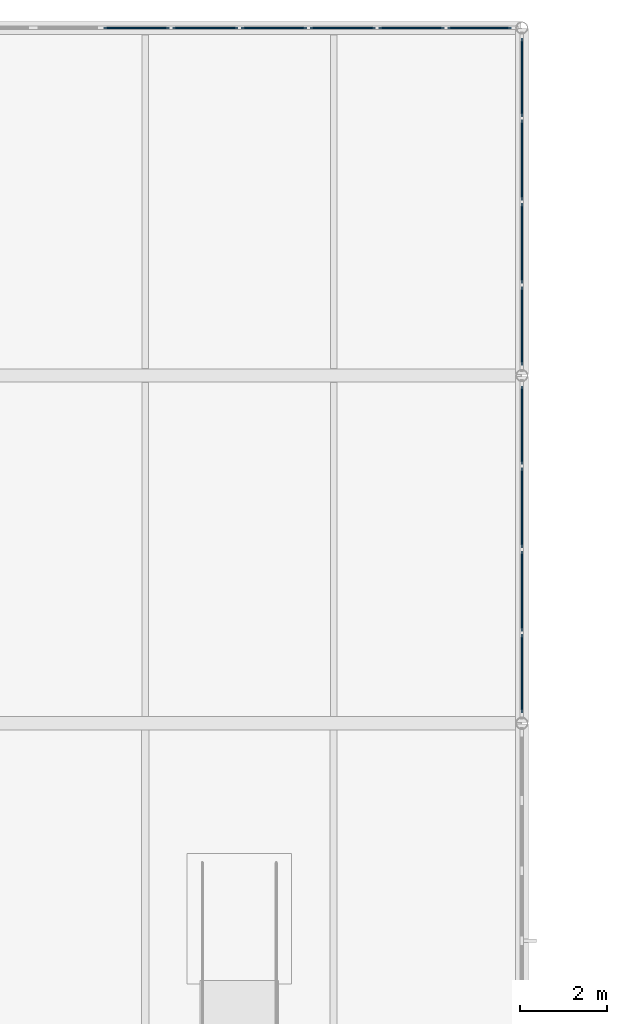
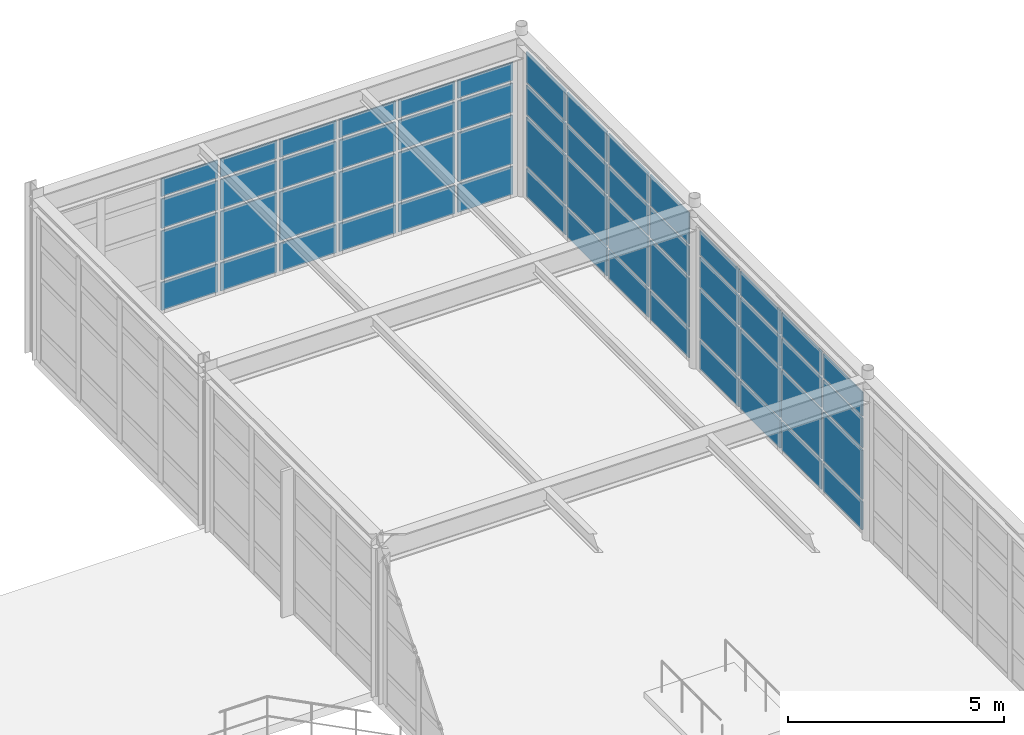
# One storey, part 104 of 139: 56 plates, 3 elements without a shape of their own.
"""IFC4 building model written with IfcOpenShell, lengths in metres."""

from ifc_helpers import new_model, si_unit, direction, frame, origin, origin_2d, place, context, subcontext, project, spatial, rectangle, extrude, material, layer, layer_set, type_object, element, aggregate, save


model = new_model("IFC4")

# Units and contexts
model_context = context("Model", 3, precision=1e-05, world=origin(), true_north=direction((0.0, 1.0)))
body_context = subcontext(model_context, "Body", "Model", "MODEL_VIEW")
ifc_project = project(units=[si_unit("LENGTHUNIT", "METRE"), si_unit("AREAUNIT", "SQUARE_METRE"), si_unit("VOLUMEUNIT", "CUBIC_METRE"), si_unit("PLANEANGLEUNIT", "RADIAN"), si_unit("MASSUNIT", "GRAM", prefix="KILO"), si_unit("THERMODYNAMICTEMPERATUREUNIT", "KELVIN"), si_unit("POWERUNIT", "WATT")], contexts=[model_context])

# Site, building, storey
site_placement = place(None, origin())
site = spatial("IfcSite", under=ifc_project, at=site_placement, CompositionType="ELEMENT")
building_placement = place(site_placement, origin())
building = spatial("IfcBuilding", under=site, at=building_placement, Name="Korenveer Ferry Terminal", CompositionType="ELEMENT")
storey_placement = place(building_placement, frame((0.0, 0.0, 5.39990234375)))
storey = spatial("IfcBuildingStorey", under=building, at=storey_placement, Name="L01", CompositionType="ELEMENT", Elevation=5.39990234375)

# Curtain wall, plates
ifc_material_1 = material(Name="Unitised bronze-and-glass curtain wall", Category="glass")
ifc_layer_1 = layer(ifc_material_1, 0.219970703125)
ifc_layer_set_1 = layer_set([ifc_layer_1], Name="Unitised bronze-and-glass curtain wall")
curtain_wall_type_1 = type_object("IfcCurtainWallType", Name="ENV-CW-57", PredefinedType="USERDEFINED", material=ifc_layer_set_1)
curtain_wall_1_placement = place(storey_placement, frame((123.179931640625, 116.0, 0.0)))
curtain_wall_1 = element("IfcCurtainWall", 1, at=curtain_wall_1_placement, inside=storey, type_object=curtain_wall_type_1, Name="Lancet curtain wall CWX-L01-X123-136-Y116-116", ObjectType="UNITISED CURTAIN WALL", PredefinedType="USERDEFINED")
ifc_material_2 = material(Name="Acoustic laminated marine glazing", Category="glass")
ifc_layer_2 = layer(ifc_material_2, 0.035888671875)
ifc_layer_set_2 = layer_set([ifc_layer_2], Name="Acoustic laminated marine glazing")
plate_type = type_object("IfcPlateType", Name="ENV-CWP-GLZ36", PredefinedType="CURTAIN_PANEL", material=ifc_layer_set_2)
plate_1_placement = place(storey_placement, frame((127.13427734375, 116.0, 0.074951171875), z_axis=(0.0, 0.0, 1.0), x_axis=(1.0, 0.0, 0.0)))
plate_1 = element("IfcPlate", 2, at=plate_1_placement, type_object=plate_type, Name="CW-57 panel 3.1", PredefinedType="CURTAIN_PANEL", context=body_context, shape_type="SweptSolid", body=[
    extrude(rectangle(XDim=1.506591796875, YDim=0.035888671875, at=origin_2d()), origin(), (0.0, 0.0, 1.0), 0.78759765625),
])
plate_2_placement = place(storey_placement, frame((127.13427734375, 116.0, 0.9375), z_axis=(0.0, 0.0, 1.0), x_axis=(1.0, 0.0, 0.0)))
plate_2 = element("IfcPlate", 3, at=plate_2_placement, type_object=plate_type, Name="CW-57 panel 3.2", PredefinedType="CURTAIN_PANEL", context=body_context, shape_type="SweptSolid", body=[
    extrude(rectangle(XDim=1.506591796875, YDim=0.035888671875, at=origin_2d()), origin(), (0.0, 0.0, 1.0), 1.375),
])
plate_3_placement = place(storey_placement, frame((127.13427734375, 116.0, 2.3876953125), z_axis=(0.0, 0.0, 1.0), x_axis=(1.0, 0.0, 0.0)))
plate_3 = element("IfcPlate", 4, at=plate_3_placement, type_object=plate_type, Name="CW-57 panel 3.3", PredefinedType="CURTAIN_PANEL", context=body_context, shape_type="SweptSolid", body=[
    extrude(rectangle(XDim=1.506591796875, YDim=0.035888671875, at=origin_2d()), origin(), (0.0, 0.0, 1.0), 0.824951171875),
])
plate_4_placement = place(storey_placement, frame((127.13427734375, 116.0, 3.28759765625), z_axis=(0.0, 0.0, 1.0), x_axis=(1.0, 0.0, 0.0)))
plate_4 = element("IfcPlate", 5, at=plate_4_placement, type_object=plate_type, Name="CW-57 panel 3.4", PredefinedType="CURTAIN_PANEL", context=body_context, shape_type="SweptSolid", body=[
    extrude(rectangle(XDim=1.506591796875, YDim=0.035888671875, at=origin_2d()), origin(), (0.0, 0.0, 1.0), 0.507568359375),
])
plate_5_placement = place(storey_placement, frame((128.7158203125, 116.0, 0.074951171875), z_axis=(0.0, 0.0, 1.0), x_axis=(1.0, 0.0, 0.0)))
plate_5 = element("IfcPlate", 6, at=plate_5_placement, type_object=plate_type, Name="CW-57 panel 4.1", PredefinedType="CURTAIN_PANEL", context=body_context, shape_type="SweptSolid", body=[
    extrude(rectangle(XDim=1.506591796875, YDim=0.035888671875, at=origin_2d()), origin(), (0.0, 0.0, 1.0), 0.78759765625),
])
plate_6_placement = place(storey_placement, frame((128.7158203125, 116.0, 0.9375), z_axis=(0.0, 0.0, 1.0), x_axis=(1.0, 0.0, 0.0)))
plate_6 = element("IfcPlate", 7, at=plate_6_placement, type_object=plate_type, Name="CW-57 panel 4.2", PredefinedType="CURTAIN_PANEL", context=body_context, shape_type="SweptSolid", body=[
    extrude(rectangle(XDim=1.506591796875, YDim=0.035888671875, at=origin_2d()), origin(), (0.0, 0.0, 1.0), 1.375),
])
plate_7_placement = place(storey_placement, frame((128.7158203125, 116.0, 2.3876953125), z_axis=(0.0, 0.0, 1.0), x_axis=(1.0, 0.0, 0.0)))
plate_7 = element("IfcPlate", 8, at=plate_7_placement, type_object=plate_type, Name="CW-57 panel 4.3", PredefinedType="CURTAIN_PANEL", context=body_context, shape_type="SweptSolid", body=[
    extrude(rectangle(XDim=1.506591796875, YDim=0.035888671875, at=origin_2d()), origin(), (0.0, 0.0, 1.0), 0.824951171875),
])
plate_8_placement = place(storey_placement, frame((128.7158203125, 116.0, 3.28759765625), z_axis=(0.0, 0.0, 1.0), x_axis=(1.0, 0.0, 0.0)))
plate_8 = element("IfcPlate", 9, at=plate_8_placement, type_object=plate_type, Name="CW-57 panel 4.4", PredefinedType="CURTAIN_PANEL", context=body_context, shape_type="SweptSolid", body=[
    extrude(rectangle(XDim=1.506591796875, YDim=0.035888671875, at=origin_2d()), origin(), (0.0, 0.0, 1.0), 0.507568359375),
])
plate_9_placement = place(storey_placement, frame((130.297607421875, 116.0, 0.074951171875), z_axis=(0.0, 0.0, 1.0), x_axis=(1.0, 0.0, 0.0)))
plate_9 = element("IfcPlate", 10, at=plate_9_placement, type_object=plate_type, Name="CW-57 panel 5.1", PredefinedType="CURTAIN_PANEL", context=body_context, shape_type="SweptSolid", body=[
    extrude(rectangle(XDim=1.506591796875, YDim=0.035888671875, at=origin_2d()), origin(), (0.0, 0.0, 1.0), 0.78759765625),
])
plate_10_placement = place(storey_placement, frame((130.297607421875, 116.0, 0.9375), z_axis=(0.0, 0.0, 1.0), x_axis=(1.0, 0.0, 0.0)))
plate_10 = element("IfcPlate", 11, at=plate_10_placement, type_object=plate_type, Name="CW-57 panel 5.2", PredefinedType="CURTAIN_PANEL", context=body_context, shape_type="SweptSolid", body=[
    extrude(rectangle(XDim=1.506591796875, YDim=0.035888671875, at=origin_2d()), origin(), (0.0, 0.0, 1.0), 1.375),
])
plate_11_placement = place(storey_placement, frame((130.297607421875, 116.0, 2.3876953125), z_axis=(0.0, 0.0, 1.0), x_axis=(1.0, 0.0, 0.0)))
plate_11 = element("IfcPlate", 12, at=plate_11_placement, type_object=plate_type, Name="CW-57 panel 5.3", PredefinedType="CURTAIN_PANEL", context=body_context, shape_type="SweptSolid", body=[
    extrude(rectangle(XDim=1.506591796875, YDim=0.035888671875, at=origin_2d()), origin(), (0.0, 0.0, 1.0), 0.824951171875),
])
plate_12_placement = place(storey_placement, frame((130.297607421875, 116.0, 3.28759765625), z_axis=(0.0, 0.0, 1.0), x_axis=(1.0, 0.0, 0.0)))
plate_12 = element("IfcPlate", 13, at=plate_12_placement, type_object=plate_type, Name="CW-57 panel 5.4", PredefinedType="CURTAIN_PANEL", context=body_context, shape_type="SweptSolid", body=[
    extrude(rectangle(XDim=1.506591796875, YDim=0.035888671875, at=origin_2d()), origin(), (0.0, 0.0, 1.0), 0.507568359375),
])
plate_13_placement = place(storey_placement, frame((131.87939453125, 116.0, 0.074951171875), z_axis=(0.0, 0.0, 1.0), x_axis=(1.0, 0.0, 0.0)))
plate_13 = element("IfcPlate", 14, at=plate_13_placement, type_object=plate_type, Name="CW-57 panel 6.1", PredefinedType="CURTAIN_PANEL", context=body_context, shape_type="SweptSolid", body=[
    extrude(rectangle(XDim=1.506591796875, YDim=0.035888671875, at=origin_2d()), origin(), (0.0, 0.0, 1.0), 0.78759765625),
])
plate_14_placement = place(storey_placement, frame((131.87939453125, 116.0, 0.9375), z_axis=(0.0, 0.0, 1.0), x_axis=(1.0, 0.0, 0.0)))
plate_14 = element("IfcPlate", 15, at=plate_14_placement, type_object=plate_type, Name="CW-57 panel 6.2", PredefinedType="CURTAIN_PANEL", context=body_context, shape_type="SweptSolid", body=[
    extrude(rectangle(XDim=1.506591796875, YDim=0.035888671875, at=origin_2d()), origin(), (0.0, 0.0, 1.0), 1.375),
])
plate_15_placement = place(storey_placement, frame((131.87939453125, 116.0, 2.3876953125), z_axis=(0.0, 0.0, 1.0), x_axis=(1.0, 0.0, 0.0)))
plate_15 = element("IfcPlate", 16, at=plate_15_placement, type_object=plate_type, Name="CW-57 panel 6.3", PredefinedType="CURTAIN_PANEL", context=body_context, shape_type="SweptSolid", body=[
    extrude(rectangle(XDim=1.506591796875, YDim=0.035888671875, at=origin_2d()), origin(), (0.0, 0.0, 1.0), 0.824951171875),
])
plate_16_placement = place(storey_placement, frame((131.87939453125, 116.0, 3.28759765625), z_axis=(0.0, 0.0, 1.0), x_axis=(1.0, 0.0, 0.0)))
plate_16 = element("IfcPlate", 17, at=plate_16_placement, type_object=plate_type, Name="CW-57 panel 6.4", PredefinedType="CURTAIN_PANEL", context=body_context, shape_type="SweptSolid", body=[
    extrude(rectangle(XDim=1.506591796875, YDim=0.035888671875, at=origin_2d()), origin(), (0.0, 0.0, 1.0), 0.507568359375),
])
plate_17_placement = place(storey_placement, frame((133.4609375, 116.0, 0.074951171875), z_axis=(0.0, 0.0, 1.0), x_axis=(1.0, 0.0, 0.0)))
plate_17 = element("IfcPlate", 18, at=plate_17_placement, type_object=plate_type, Name="CW-57 panel 7.1", PredefinedType="CURTAIN_PANEL", context=body_context, shape_type="SweptSolid", body=[
    extrude(rectangle(XDim=1.506591796875, YDim=0.035888671875, at=origin_2d()), origin(), (0.0, 0.0, 1.0), 0.78759765625),
])
plate_18_placement = place(storey_placement, frame((133.4609375, 116.0, 0.9375), z_axis=(0.0, 0.0, 1.0), x_axis=(1.0, 0.0, 0.0)))
plate_18 = element("IfcPlate", 19, at=plate_18_placement, type_object=plate_type, Name="CW-57 panel 7.2", PredefinedType="CURTAIN_PANEL", context=body_context, shape_type="SweptSolid", body=[
    extrude(rectangle(XDim=1.506591796875, YDim=0.035888671875, at=origin_2d()), origin(), (0.0, 0.0, 1.0), 1.375),
])
plate_19_placement = place(storey_placement, frame((133.4609375, 116.0, 2.3876953125), z_axis=(0.0, 0.0, 1.0), x_axis=(1.0, 0.0, 0.0)))
plate_19 = element("IfcPlate", 20, at=plate_19_placement, type_object=plate_type, Name="CW-57 panel 7.3", PredefinedType="CURTAIN_PANEL", context=body_context, shape_type="SweptSolid", body=[
    extrude(rectangle(XDim=1.506591796875, YDim=0.035888671875, at=origin_2d()), origin(), (0.0, 0.0, 1.0), 0.824951171875),
])
plate_20_placement = place(storey_placement, frame((133.4609375, 116.0, 3.28759765625), z_axis=(0.0, 0.0, 1.0), x_axis=(1.0, 0.0, 0.0)))
plate_20 = element("IfcPlate", 21, at=plate_20_placement, type_object=plate_type, Name="CW-57 panel 7.4", PredefinedType="CURTAIN_PANEL", context=body_context, shape_type="SweptSolid", body=[
    extrude(rectangle(XDim=1.506591796875, YDim=0.035888671875, at=origin_2d()), origin(), (0.0, 0.0, 1.0), 0.507568359375),
])
plate_21_placement = place(storey_placement, frame((135.02392578125, 116.0, 0.074951171875), z_axis=(0.0, 0.0, 1.0), x_axis=(1.0, 0.0, 0.0)))
plate_21 = element("IfcPlate", 22, at=plate_21_placement, type_object=plate_type, Name="CW-57 panel 8.1", PredefinedType="CURTAIN_PANEL", context=body_context, shape_type="SweptSolid", body=[
    extrude(rectangle(XDim=1.46923828125, YDim=0.035888671875, at=origin_2d()), origin(), (0.0, 0.0, 1.0), 0.78759765625),
])
plate_22_placement = place(storey_placement, frame((135.02392578125, 116.0, 0.9375), z_axis=(0.0, 0.0, 1.0), x_axis=(1.0, 0.0, 0.0)))
plate_22 = element("IfcPlate", 23, at=plate_22_placement, type_object=plate_type, Name="CW-57 panel 8.2", PredefinedType="CURTAIN_PANEL", context=body_context, shape_type="SweptSolid", body=[
    extrude(rectangle(XDim=1.46923828125, YDim=0.035888671875, at=origin_2d()), origin(), (0.0, 0.0, 1.0), 1.375),
])
plate_23_placement = place(storey_placement, frame((135.02392578125, 116.0, 2.3876953125), z_axis=(0.0, 0.0, 1.0), x_axis=(1.0, 0.0, 0.0)))
plate_23 = element("IfcPlate", 24, at=plate_23_placement, type_object=plate_type, Name="CW-57 panel 8.3", PredefinedType="CURTAIN_PANEL", context=body_context, shape_type="SweptSolid", body=[
    extrude(rectangle(XDim=1.46923828125, YDim=0.035888671875, at=origin_2d()), origin(), (0.0, 0.0, 1.0), 0.824951171875),
])
plate_24_placement = place(storey_placement, frame((135.02392578125, 116.0, 3.28759765625), z_axis=(0.0, 0.0, 1.0), x_axis=(1.0, 0.0, 0.0)))
plate_24 = element("IfcPlate", 25, at=plate_24_placement, type_object=plate_type, Name="CW-57 panel 8.4", PredefinedType="CURTAIN_PANEL", context=body_context, shape_type="SweptSolid", body=[
    extrude(rectangle(XDim=1.46923828125, YDim=0.035888671875, at=origin_2d()), origin(), (0.0, 0.0, 1.0), 0.507568359375),
])
aggregate(curtain_wall_1, [plate_1, plate_2, plate_3, plate_4, plate_5, plate_6, plate_7, plate_8, plate_9, plate_10, plate_11, plate_12, plate_13, plate_14, plate_15, plate_16, plate_17, plate_18, plate_19, plate_20, plate_21, plate_22, plate_23, plate_24])

ifc_layer_3 = layer(ifc_material_1, 0.219970703125)
ifc_layer_set_3 = layer_set([ifc_layer_3], Name="Unitised bronze-and-glass curtain wall")
curtain_wall_type_2 = type_object("IfcCurtainWallType", Name="ENV-CW-67", PredefinedType="USERDEFINED", material=ifc_layer_set_3)
curtain_wall_2_placement = place(storey_placement, frame((136.0, 107.83349609375, 0.0)))
curtain_wall_2 = element("IfcCurtainWall", 26, at=curtain_wall_2_placement, inside=storey, type_object=curtain_wall_type_2, Name="Lancet curtain wall CWX-L01-X136-136-Y100-108", ObjectType="UNITISED CURTAIN WALL", PredefinedType="USERDEFINED")
plate_25_placement = place(storey_placement, frame((136.0, 106.8564453125, 0.074951171875), z_axis=(0.0, 0.0, 1.0), x_axis=(0.0, -1.0, 0.0)))
plate_25 = element("IfcPlate", 27, at=plate_25_placement, type_object=plate_type, Name="CW-67 panel 1.1", PredefinedType="CURTAIN_PANEL", context=body_context, shape_type="SweptSolid", body=[
    extrude(rectangle(XDim=1.80419921875, YDim=0.035888671875, at=origin_2d()), origin(), (0.0, 0.0, 1.0), 0.78759765625),
])
plate_26_placement = place(storey_placement, frame((136.0, 106.8564453125, 0.9375), z_axis=(0.0, 0.0, 1.0), x_axis=(0.0, -1.0, 0.0)))
plate_26 = element("IfcPlate", 28, at=plate_26_placement, type_object=plate_type, Name="CW-67 panel 1.2", PredefinedType="CURTAIN_PANEL", context=body_context, shape_type="SweptSolid", body=[
    extrude(rectangle(XDim=1.80419921875, YDim=0.035888671875, at=origin_2d()), origin(), (0.0, 0.0, 1.0), 1.375),
])
plate_27_placement = place(storey_placement, frame((136.0, 106.8564453125, 2.3876953125), z_axis=(0.0, 0.0, 1.0), x_axis=(0.0, -1.0, 0.0)))
plate_27 = element("IfcPlate", 29, at=plate_27_placement, type_object=plate_type, Name="CW-67 panel 1.3", PredefinedType="CURTAIN_PANEL", context=body_context, shape_type="SweptSolid", body=[
    extrude(rectangle(XDim=1.80419921875, YDim=0.035888671875, at=origin_2d()), origin(), (0.0, 0.0, 1.0), 0.824951171875),
])
plate_28_placement = place(storey_placement, frame((136.0, 106.8564453125, 3.28759765625), z_axis=(0.0, 0.0, 1.0), x_axis=(0.0, -1.0, 0.0)))
plate_28 = element("IfcPlate", 30, at=plate_28_placement, type_object=plate_type, Name="CW-67 panel 1.4", PredefinedType="CURTAIN_PANEL", context=body_context, shape_type="SweptSolid", body=[
    extrude(rectangle(XDim=1.80419921875, YDim=0.035888671875, at=origin_2d()), origin(), (0.0, 0.0, 1.0), 0.66748046875),
])
plate_29_placement = place(storey_placement, frame((136.0, 104.95849609375, 0.074951171875), z_axis=(0.0, 0.0, 1.0), x_axis=(0.0, -1.0, 0.0)))
plate_29 = element("IfcPlate", 31, at=plate_29_placement, type_object=plate_type, Name="CW-67 panel 2.1", PredefinedType="CURTAIN_PANEL", context=body_context, shape_type="SweptSolid", body=[
    extrude(rectangle(XDim=1.841796875, YDim=0.035888671875, at=origin_2d()), origin(), (0.0, 0.0, 1.0), 0.78759765625),
])
plate_30_placement = place(storey_placement, frame((136.0, 104.95849609375, 0.9375), z_axis=(0.0, 0.0, 1.0), x_axis=(0.0, -1.0, 0.0)))
plate_30 = element("IfcPlate", 32, at=plate_30_placement, type_object=plate_type, Name="CW-67 panel 2.2", PredefinedType="CURTAIN_PANEL", context=body_context, shape_type="SweptSolid", body=[
    extrude(rectangle(XDim=1.841796875, YDim=0.035888671875, at=origin_2d()), origin(), (0.0, 0.0, 1.0), 1.375),
])
plate_31_placement = place(storey_placement, frame((136.0, 104.95849609375, 2.3876953125), z_axis=(0.0, 0.0, 1.0), x_axis=(0.0, -1.0, 0.0)))
plate_31 = element("IfcPlate", 33, at=plate_31_placement, type_object=plate_type, Name="CW-67 panel 2.3", PredefinedType="CURTAIN_PANEL", context=body_context, shape_type="SweptSolid", body=[
    extrude(rectangle(XDim=1.841796875, YDim=0.035888671875, at=origin_2d()), origin(), (0.0, 0.0, 1.0), 0.824951171875),
])
plate_32_placement = place(storey_placement, frame((136.0, 104.95849609375, 3.28759765625), z_axis=(0.0, 0.0, 1.0), x_axis=(0.0, -1.0, 0.0)))
plate_32 = element("IfcPlate", 34, at=plate_32_placement, type_object=plate_type, Name="CW-67 panel 2.4", PredefinedType="CURTAIN_PANEL", context=body_context, shape_type="SweptSolid", body=[
    extrude(rectangle(XDim=1.841796875, YDim=0.035888671875, at=origin_2d()), origin(), (0.0, 0.0, 1.0), 0.66748046875),
])
plate_33_placement = place(storey_placement, frame((136.0, 103.04150390625, 0.074951171875), z_axis=(0.0, 0.0, 1.0), x_axis=(0.0, -1.0, 0.0)))
plate_33 = element("IfcPlate", 35, at=plate_33_placement, type_object=plate_type, Name="CW-67 panel 3.1", PredefinedType="CURTAIN_PANEL", context=body_context, shape_type="SweptSolid", body=[
    extrude(rectangle(XDim=1.841796875, YDim=0.035888671875, at=origin_2d()), origin(), (0.0, 0.0, 1.0), 0.78759765625),
])
plate_34_placement = place(storey_placement, frame((136.0, 103.04150390625, 0.9375), z_axis=(0.0, 0.0, 1.0), x_axis=(0.0, -1.0, 0.0)))
plate_34 = element("IfcPlate", 36, at=plate_34_placement, type_object=plate_type, Name="CW-67 panel 3.2", PredefinedType="CURTAIN_PANEL", context=body_context, shape_type="SweptSolid", body=[
    extrude(rectangle(XDim=1.841796875, YDim=0.035888671875, at=origin_2d()), origin(), (0.0, 0.0, 1.0), 1.375),
])
plate_35_placement = place(storey_placement, frame((136.0, 103.04150390625, 2.3876953125), z_axis=(0.0, 0.0, 1.0), x_axis=(0.0, -1.0, 0.0)))
plate_35 = element("IfcPlate", 37, at=plate_35_placement, type_object=plate_type, Name="CW-67 panel 3.3", PredefinedType="CURTAIN_PANEL", context=body_context, shape_type="SweptSolid", body=[
    extrude(rectangle(XDim=1.841796875, YDim=0.035888671875, at=origin_2d()), origin(), (0.0, 0.0, 1.0), 0.824951171875),
])
plate_36_placement = place(storey_placement, frame((136.0, 103.04150390625, 3.28759765625), z_axis=(0.0, 0.0, 1.0), x_axis=(0.0, -1.0, 0.0)))
plate_36 = element("IfcPlate", 38, at=plate_36_placement, type_object=plate_type, Name="CW-67 panel 3.4", PredefinedType="CURTAIN_PANEL", context=body_context, shape_type="SweptSolid", body=[
    extrude(rectangle(XDim=1.841796875, YDim=0.035888671875, at=origin_2d()), origin(), (0.0, 0.0, 1.0), 0.66748046875),
])
plate_37_placement = place(storey_placement, frame((136.0, 101.1435546875, 0.074951171875), z_axis=(0.0, 0.0, 1.0), x_axis=(0.0, -1.0, 0.0)))
plate_37 = element("IfcPlate", 39, at=plate_37_placement, type_object=plate_type, Name="CW-67 panel 4.1", PredefinedType="CURTAIN_PANEL", context=body_context, shape_type="SweptSolid", body=[
    extrude(rectangle(XDim=1.80419921875, YDim=0.035888671875, at=origin_2d()), origin(), (0.0, 0.0, 1.0), 0.78759765625),
])
plate_38_placement = place(storey_placement, frame((136.0, 101.1435546875, 0.9375), z_axis=(0.0, 0.0, 1.0), x_axis=(0.0, -1.0, 0.0)))
plate_38 = element("IfcPlate", 40, at=plate_38_placement, type_object=plate_type, Name="CW-67 panel 4.2", PredefinedType="CURTAIN_PANEL", context=body_context, shape_type="SweptSolid", body=[
    extrude(rectangle(XDim=1.80419921875, YDim=0.035888671875, at=origin_2d()), origin(), (0.0, 0.0, 1.0), 1.375),
])
plate_39_placement = place(storey_placement, frame((136.0, 101.1435546875, 2.3876953125), z_axis=(0.0, 0.0, 1.0), x_axis=(0.0, -1.0, 0.0)))
plate_39 = element("IfcPlate", 41, at=plate_39_placement, type_object=plate_type, Name="CW-67 panel 4.3", PredefinedType="CURTAIN_PANEL", context=body_context, shape_type="SweptSolid", body=[
    extrude(rectangle(XDim=1.80419921875, YDim=0.035888671875, at=origin_2d()), origin(), (0.0, 0.0, 1.0), 0.824951171875),
])
plate_40_placement = place(storey_placement, frame((136.0, 101.1435546875, 3.28759765625), z_axis=(0.0, 0.0, 1.0), x_axis=(0.0, -1.0, 0.0)))
plate_40 = element("IfcPlate", 42, at=plate_40_placement, type_object=plate_type, Name="CW-67 panel 4.4", PredefinedType="CURTAIN_PANEL", context=body_context, shape_type="SweptSolid", body=[
    extrude(rectangle(XDim=1.80419921875, YDim=0.035888671875, at=origin_2d()), origin(), (0.0, 0.0, 1.0), 0.66748046875),
])
aggregate(curtain_wall_2, [plate_25, plate_26, plate_27, plate_28, plate_29, plate_30, plate_31, plate_32, plate_33, plate_34, plate_35, plate_36, plate_37, plate_38, plate_39, plate_40])

ifc_layer_4 = layer(ifc_material_1, 0.219970703125)
ifc_layer_set_4 = layer_set([ifc_layer_4], Name="Unitised bronze-and-glass curtain wall")
curtain_wall_type_3 = type_object("IfcCurtainWallType", Name="ENV-CW-77", PredefinedType="USERDEFINED", material=ifc_layer_set_4)
curtain_wall_3_placement = place(storey_placement, frame((136.0, 115.83349609375, 0.0)))
curtain_wall_3 = element("IfcCurtainWall", 43, at=curtain_wall_3_placement, inside=storey, type_object=curtain_wall_type_3, Name="Lancet curtain wall CWX-L01-X136-136-Y108-116", ObjectType="UNITISED CURTAIN WALL", PredefinedType="USERDEFINED")
plate_41_placement = place(storey_placement, frame((136.0, 114.8564453125, 0.074951171875), z_axis=(0.0, 0.0, 1.0), x_axis=(0.0, -1.0, 0.0)))
plate_41 = element("IfcPlate", 44, at=plate_41_placement, type_object=plate_type, Name="CW-77 panel 1.1", PredefinedType="CURTAIN_PANEL", context=body_context, shape_type="SweptSolid", body=[
    extrude(rectangle(XDim=1.80419921875, YDim=0.035888671875, at=origin_2d()), origin(), (0.0, 0.0, 1.0), 0.78759765625),
])
plate_42_placement = place(storey_placement, frame((136.0, 114.8564453125, 0.9375), z_axis=(0.0, 0.0, 1.0), x_axis=(0.0, -1.0, 0.0)))
plate_42 = element("IfcPlate", 45, at=plate_42_placement, type_object=plate_type, Name="CW-77 panel 1.2", PredefinedType="CURTAIN_PANEL", context=body_context, shape_type="SweptSolid", body=[
    extrude(rectangle(XDim=1.80419921875, YDim=0.035888671875, at=origin_2d()), origin(), (0.0, 0.0, 1.0), 1.375),
])
plate_43_placement = place(storey_placement, frame((136.0, 114.8564453125, 2.3876953125), z_axis=(0.0, 0.0, 1.0), x_axis=(0.0, -1.0, 0.0)))
plate_43 = element("IfcPlate", 46, at=plate_43_placement, type_object=plate_type, Name="CW-77 panel 1.3", PredefinedType="CURTAIN_PANEL", context=body_context, shape_type="SweptSolid", body=[
    extrude(rectangle(XDim=1.80419921875, YDim=0.035888671875, at=origin_2d()), origin(), (0.0, 0.0, 1.0), 0.824951171875),
])
plate_44_placement = place(storey_placement, frame((136.0, 114.8564453125, 3.28759765625), z_axis=(0.0, 0.0, 1.0), x_axis=(0.0, -1.0, 0.0)))
plate_44 = element("IfcPlate", 47, at=plate_44_placement, type_object=plate_type, Name="CW-77 panel 1.4", PredefinedType="CURTAIN_PANEL", context=body_context, shape_type="SweptSolid", body=[
    extrude(rectangle(XDim=1.80419921875, YDim=0.035888671875, at=origin_2d()), origin(), (0.0, 0.0, 1.0), 0.867431640625),
])
plate_45_placement = place(storey_placement, frame((136.0, 112.95849609375, 0.074951171875), z_axis=(0.0, 0.0, 1.0), x_axis=(0.0, -1.0, 0.0)))
plate_45 = element("IfcPlate", 48, at=plate_45_placement, type_object=plate_type, Name="CW-77 panel 2.1", PredefinedType="CURTAIN_PANEL", context=body_context, shape_type="SweptSolid", body=[
    extrude(rectangle(XDim=1.841796875, YDim=0.035888671875, at=origin_2d()), origin(), (0.0, 0.0, 1.0), 0.78759765625),
])
plate_46_placement = place(storey_placement, frame((136.0, 112.95849609375, 0.9375), z_axis=(0.0, 0.0, 1.0), x_axis=(0.0, -1.0, 0.0)))
plate_46 = element("IfcPlate", 49, at=plate_46_placement, type_object=plate_type, Name="CW-77 panel 2.2", PredefinedType="CURTAIN_PANEL", context=body_context, shape_type="SweptSolid", body=[
    extrude(rectangle(XDim=1.841796875, YDim=0.035888671875, at=origin_2d()), origin(), (0.0, 0.0, 1.0), 1.375),
])
plate_47_placement = place(storey_placement, frame((136.0, 112.95849609375, 2.3876953125), z_axis=(0.0, 0.0, 1.0), x_axis=(0.0, -1.0, 0.0)))
plate_47 = element("IfcPlate", 50, at=plate_47_placement, type_object=plate_type, Name="CW-77 panel 2.3", PredefinedType="CURTAIN_PANEL", context=body_context, shape_type="SweptSolid", body=[
    extrude(rectangle(XDim=1.841796875, YDim=0.035888671875, at=origin_2d()), origin(), (0.0, 0.0, 1.0), 0.824951171875),
])
plate_48_placement = place(storey_placement, frame((136.0, 112.95849609375, 3.28759765625), z_axis=(0.0, 0.0, 1.0), x_axis=(0.0, -1.0, 0.0)))
plate_48 = element("IfcPlate", 51, at=plate_48_placement, type_object=plate_type, Name="CW-77 panel 2.4", PredefinedType="CURTAIN_PANEL", context=body_context, shape_type="SweptSolid", body=[
    extrude(rectangle(XDim=1.841796875, YDim=0.035888671875, at=origin_2d()), origin(), (0.0, 0.0, 1.0), 0.867431640625),
])
plate_49_placement = place(storey_placement, frame((136.0, 111.04150390625, 0.074951171875), z_axis=(0.0, 0.0, 1.0), x_axis=(0.0, -1.0, 0.0)))
plate_49 = element("IfcPlate", 52, at=plate_49_placement, type_object=plate_type, Name="CW-77 panel 3.1", PredefinedType="CURTAIN_PANEL", context=body_context, shape_type="SweptSolid", body=[
    extrude(rectangle(XDim=1.841796875, YDim=0.035888671875, at=origin_2d()), origin(), (0.0, 0.0, 1.0), 0.78759765625),
])
plate_50_placement = place(storey_placement, frame((136.0, 111.04150390625, 0.9375), z_axis=(0.0, 0.0, 1.0), x_axis=(0.0, -1.0, 0.0)))
plate_50 = element("IfcPlate", 53, at=plate_50_placement, type_object=plate_type, Name="CW-77 panel 3.2", PredefinedType="CURTAIN_PANEL", context=body_context, shape_type="SweptSolid", body=[
    extrude(rectangle(XDim=1.841796875, YDim=0.035888671875, at=origin_2d()), origin(), (0.0, 0.0, 1.0), 1.375),
])
plate_51_placement = place(storey_placement, frame((136.0, 111.04150390625, 2.3876953125), z_axis=(0.0, 0.0, 1.0), x_axis=(0.0, -1.0, 0.0)))
plate_51 = element("IfcPlate", 54, at=plate_51_placement, type_object=plate_type, Name="CW-77 panel 3.3", PredefinedType="CURTAIN_PANEL", context=body_context, shape_type="SweptSolid", body=[
    extrude(rectangle(XDim=1.841796875, YDim=0.035888671875, at=origin_2d()), origin(), (0.0, 0.0, 1.0), 0.824951171875),
])
plate_52_placement = place(storey_placement, frame((136.0, 111.04150390625, 3.28759765625), z_axis=(0.0, 0.0, 1.0), x_axis=(0.0, -1.0, 0.0)))
plate_52 = element("IfcPlate", 55, at=plate_52_placement, type_object=plate_type, Name="CW-77 panel 3.4", PredefinedType="CURTAIN_PANEL", context=body_context, shape_type="SweptSolid", body=[
    extrude(rectangle(XDim=1.841796875, YDim=0.035888671875, at=origin_2d()), origin(), (0.0, 0.0, 1.0), 0.867431640625),
])
plate_53_placement = place(storey_placement, frame((136.0, 109.1435546875, 0.074951171875), z_axis=(0.0, 0.0, 1.0), x_axis=(0.0, -1.0, 0.0)))
plate_53 = element("IfcPlate", 56, at=plate_53_placement, type_object=plate_type, Name="CW-77 panel 4.1", PredefinedType="CURTAIN_PANEL", context=body_context, shape_type="SweptSolid", body=[
    extrude(rectangle(XDim=1.80419921875, YDim=0.035888671875, at=origin_2d()), origin(), (0.0, 0.0, 1.0), 0.78759765625),
])
plate_54_placement = place(storey_placement, frame((136.0, 109.1435546875, 0.9375), z_axis=(0.0, 0.0, 1.0), x_axis=(0.0, -1.0, 0.0)))
plate_54 = element("IfcPlate", 57, at=plate_54_placement, type_object=plate_type, Name="CW-77 panel 4.2", PredefinedType="CURTAIN_PANEL", context=body_context, shape_type="SweptSolid", body=[
    extrude(rectangle(XDim=1.80419921875, YDim=0.035888671875, at=origin_2d()), origin(), (0.0, 0.0, 1.0), 1.375),
])
plate_55_placement = place(storey_placement, frame((136.0, 109.1435546875, 2.3876953125), z_axis=(0.0, 0.0, 1.0), x_axis=(0.0, -1.0, 0.0)))
plate_55 = element("IfcPlate", 58, at=plate_55_placement, type_object=plate_type, Name="CW-77 panel 4.3", PredefinedType="CURTAIN_PANEL", context=body_context, shape_type="SweptSolid", body=[
    extrude(rectangle(XDim=1.80419921875, YDim=0.035888671875, at=origin_2d()), origin(), (0.0, 0.0, 1.0), 0.824951171875),
])
plate_56_placement = place(storey_placement, frame((136.0, 109.1435546875, 3.28759765625), z_axis=(0.0, 0.0, 1.0), x_axis=(0.0, -1.0, 0.0)))
plate_56 = element("IfcPlate", 59, at=plate_56_placement, type_object=plate_type, Name="CW-77 panel 4.4", PredefinedType="CURTAIN_PANEL", context=body_context, shape_type="SweptSolid", body=[
    extrude(rectangle(XDim=1.80419921875, YDim=0.035888671875, at=origin_2d()), origin(), (0.0, 0.0, 1.0), 0.867431640625),
])
aggregate(curtain_wall_3, [plate_41, plate_42, plate_43, plate_44, plate_45, plate_46, plate_47, plate_48, plate_49, plate_50, plate_51, plate_52, plate_53, plate_54, plate_55, plate_56])

save(model, "model.ifc")
